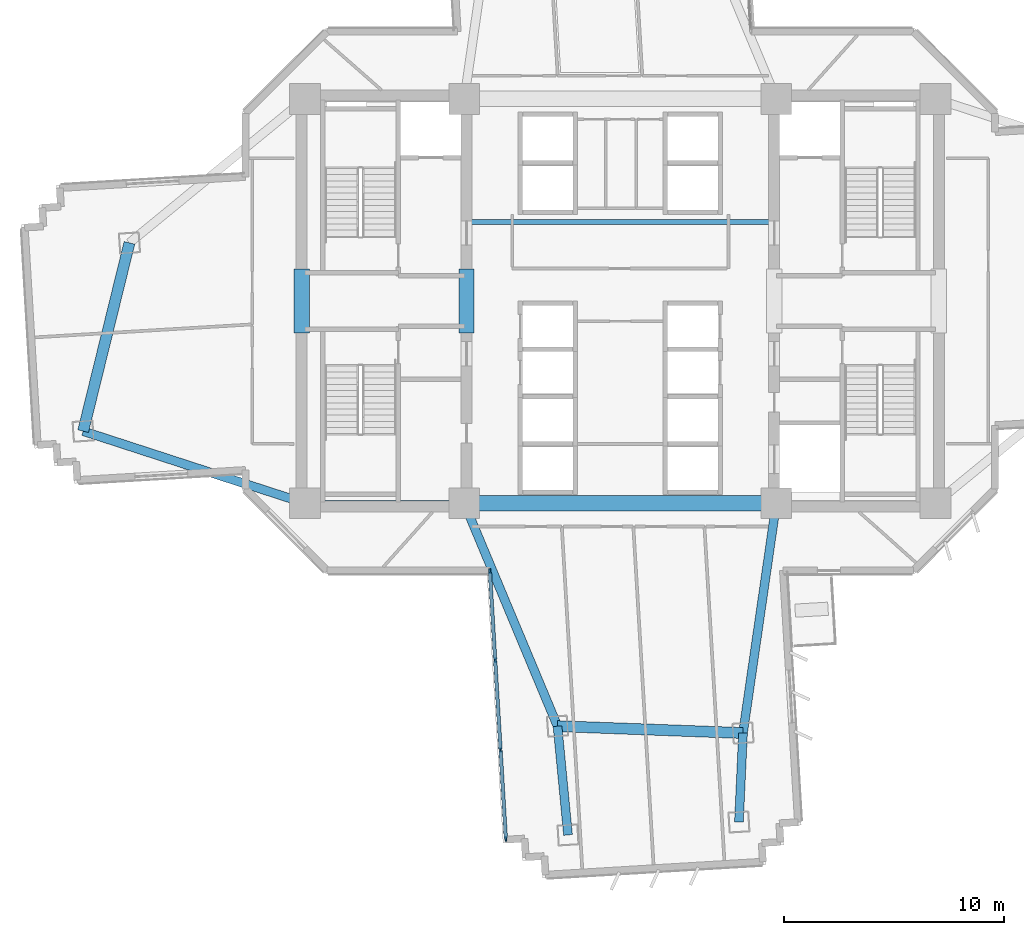
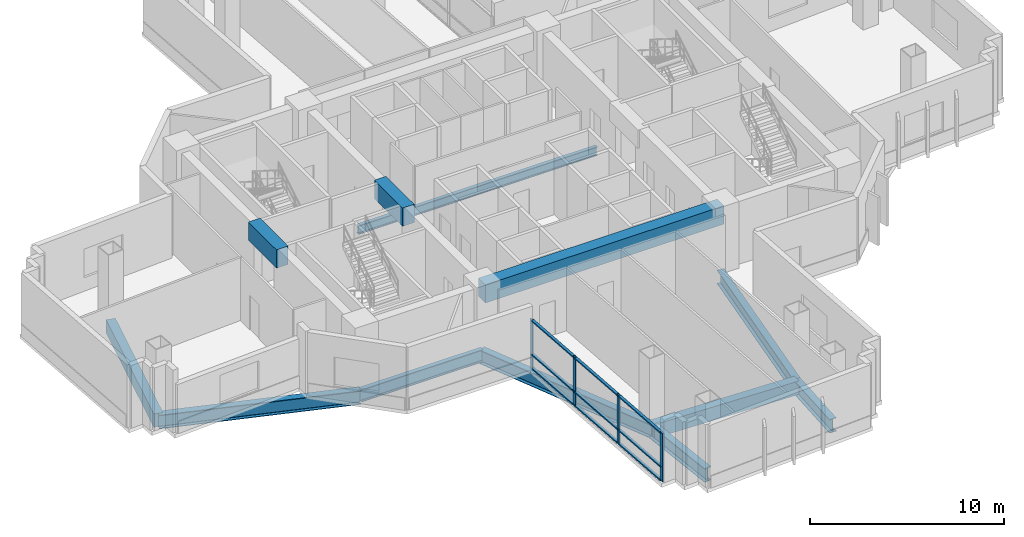
# One storey, part 2 of 15: 13 members, 12 beams, 1 element without a shape of its own.
"""IFC4 building model written with IfcOpenShell, lengths in metres."""

from ifc_helpers import new_model, si_unit, direction, frame, origin, origin_2d, place, context, subcontext, project, spatial, rectangle, i_section, extrude, source, transform, mapped, material, layer, layer_set, material_profile, profile_set, type_object, element, aggregate, save


model = new_model("IFC4")

# Units and contexts
model_context = context("Model", 3, precision=1e-05, world=origin(), true_north=direction((0.0, 1.0)))
body_context = subcontext(model_context, "Body", "Model", "MODEL_VIEW")
ifc_project = project(units=[si_unit("LENGTHUNIT", "METRE"), si_unit("AREAUNIT", "SQUARE_METRE"), si_unit("VOLUMEUNIT", "CUBIC_METRE"), si_unit("PLANEANGLEUNIT", "RADIAN"), si_unit("MASSUNIT", "GRAM", prefix="KILO")], contexts=[model_context])

# Site, building, storey
site_placement = place(None, origin())
site = spatial("IfcSite", under=ifc_project, at=site_placement, CompositionType="ELEMENT")
building_placement = place(site_placement, origin())
building = spatial("IfcBuilding", under=site, at=building_placement, Name="Zahravan Cultural Tower", CompositionType="ELEMENT")
storey_placement = place(building_placement, frame((0.0, 0.0, 71.10009765625)))
storey = spatial("IfcBuildingStorey", under=building, at=storey_placement, Name="L15", CompositionType="ELEMENT", Elevation=71.10009765625)

# Beams
ifc_material_1 = material(Name="Concrete C50/60", Category="concrete")
ifc_material_profile_1 = material_profile(ifc_material_1, rectangle(XDim=0.699951171875, YDim=1.14990234375, at=origin_2d()), Name="RC700X1150")
ifc_profile_set_1 = profile_set([ifc_material_profile_1], Name="Concrete C50/60")
beam_type_1 = type_object("IfcBeamType", Name="BM-LN-RC700X1150", PredefinedType="LINTEL", material=ifc_profile_set_1)
shared_shape_1 = source(origin(), body_context, "Body", "SweptSolid", [
    extrude(rectangle(XDim=0.699951171875, YDim=1.14990234375, at=origin_2d()), origin(), (0.0, 0.0, 1.0), 14.2001953125),
])
beam_1_placement = place(storey_placement, frame((28.89990234375, 17.800048828125, 3.375), z_axis=(1.0, 0.0, 0.0), x_axis=(0.0, 1.0, 0.0)))
element("IfcBeam", 1, at=beam_1_placement, inside=storey, type_object=beam_type_1, Name="L15 Beam LN-L15-S", PredefinedType="LINTEL", context=body_context, shape_type="MappedRepresentation", body=[
    mapped(shared_shape_1, transform((0.0, 0.0, 0.0), x_axis=(1.0, 0.0, 0.0), y_axis=(0.0, 1.0, 0.0), z_axis=(0.0, 0.0, 1.0), scale=1.0)),
])
shared_shape_2 = source(origin(), body_context, "Body", "SweptSolid", [
    extrude(rectangle(XDim=0.699951171875, YDim=1.14990234375, at=origin_2d()), origin(), (0.0, 0.0, 1.0), 2.89990234375),
])
for number, where, z_axis, x_axis, name in (
    (2, (21.5, 25.550048828125, 3.375), (0.0, 1.0, 0.0), (-1.0, 0.0, 0.0), "L15 Beam LN-L15-PWW"),
    (3, (29.0, 25.550048828125, 3.375), (0.0, 1.0, 0.0), (-1.0, 0.0, 0.0), "L15 Beam LN-L15-PWE"),
):
    element("IfcBeam", number, at=place(storey_placement, frame(where, z_axis=z_axis, x_axis=x_axis)), inside=storey, type_object=beam_type_1, Name=name, PredefinedType="LINTEL", context=body_context, shape_type="MappedRepresentation", body=[
        mapped(shared_shape_2, transform((0.0, 0.0, 0.0), x_axis=(1.0, 0.0, 0.0), y_axis=(0.0, 1.0, 0.0), z_axis=(0.0, 0.0, 1.0), scale=1.0)),
    ])
ifc_material_2 = material(Name="Steel ASTM A992 Grade 50", Category="steel")
ifc_material_profile_2 = material_profile(ifc_material_2, i_section(OverallWidth=0.26611328125, OverallDepth=0.780029296875, WebThickness=0.0166015625, FlangeThickness=0.030029296875, FilletRadius=0.01904296875, at=origin_2d()), Name="W30X148")
ifc_profile_set_2 = profile_set([ifc_material_profile_2], Name="Steel ASTM A992 Grade 50")
beam_type_2 = type_object("IfcBeamType", Name="BM-G-W30X148", PredefinedType="BEAM", material=ifc_profile_set_2)
shared_shape_3 = source(origin(), body_context, "Body", "SweptSolid", [
    extrude(i_section(OverallWidth=0.26611328125, OverallDepth=0.780029296875, WebThickness=0.0166015625, FlangeThickness=0.030029296875, FilletRadius=0.01904296875, at=origin_2d()), origin(), (0.0, 0.0, 1.0), 7.25),
])
beam_2_placement = place(storey_placement, frame((21.64990234375, 17.800048828125, -0.64013671875), z_axis=(1.0, 0.0, 0.0), x_axis=(0.0, 1.0, 0.0)))
element("IfcBeam", 4, at=beam_2_placement, inside=storey, type_object=beam_type_2, Name="L15 Beam BG-L15-01", PredefinedType="BEAM", context=body_context, shape_type="MappedRepresentation", body=[
    mapped(shared_shape_3, transform((0.0, 0.0, 0.0), x_axis=(1.0, 0.0, 0.0), y_axis=(0.0, 1.0, 0.0), z_axis=(0.0, 0.0, 1.0), scale=1.0)),
])
ifc_material_profile_3 = material_profile(ifc_material_1, rectangle(XDim=0.5, YDim=0.85009765625, at=origin_2d()), Name="RC500X850")
ifc_profile_set_3 = profile_set([ifc_material_profile_3], Name="Concrete C50/60")
beam_type_3 = type_object("IfcBeamType", Name="BM-SP-RC500X850", PredefinedType="SPANDREL", material=ifc_profile_set_3)
shared_shape_4 = source(origin(), body_context, "Body", "SweptSolid", [
    extrude(rectangle(XDim=0.5, YDim=0.85009765625, at=origin_2d()), origin(), (0.0, 0.0, 1.0), 8.4482421875),
])
beam_3_placement = place(storey_placement, frame((33.142578125, 7.653564453125, -0.675048828125), z_axis=(0.999318826256, -0.036903705643, 0.0), x_axis=(0.036903705643, 0.999318826256, 0.0)))
element("IfcBeam", 5, at=beam_3_placement, inside=storey, type_object=beam_type_3, Name="L15 Beam SP-L15-19", PredefinedType="SPANDREL", context=body_context, shape_type="MappedRepresentation", body=[
    mapped(shared_shape_4, transform((0.0, 0.0, 0.0), x_axis=(1.0, 0.0, 0.0), y_axis=(0.0, 1.0, 0.0), z_axis=(0.0, 0.0, 1.0), scale=1.0)),
])
shared_shape_5 = source(origin(), body_context, "Body", "SweptSolid", [
    extrude(rectangle(XDim=0.5, YDim=0.85009765625, at=origin_2d()), origin(), (0.0, 0.0, 1.0), 8.8232421875),
])
beam_4_placement = place(storey_placement, frame((13.660888671875, 29.648193359375, -0.675048828125), z_axis=(-0.238848860516, -0.971056755206, 0.0), x_axis=(0.971056755206, -0.238848860516, 0.0)))
element("IfcBeam", 6, at=beam_4_placement, inside=storey, type_object=beam_type_3, Name="L15 Beam SP-L15-22", PredefinedType="SPANDREL", context=body_context, shape_type="MappedRepresentation", body=[
    mapped(shared_shape_5, transform((0.0, 0.0, 0.0), x_axis=(1.0, 0.0, 0.0), y_axis=(0.0, 1.0, 0.0), z_axis=(0.0, 0.0, 1.0), scale=1.0)),
])
ifc_material_profile_4 = material_profile(ifc_material_2, i_section(OverallWidth=0.39990234375, OverallDepth=0.862060546875, WebThickness=0.019775390625, FlangeThickness=0.032470703125, FilletRadius=0.02001953125, at=origin_2d()), Name="W33X221")
ifc_profile_set_4 = profile_set([ifc_material_profile_4], Name="Steel ASTM A992 Grade 50")
beam_type_4 = type_object("IfcBeamType", Name="BM-G-W33X221", PredefinedType="BEAM", material=ifc_profile_set_4)
shared_shape_6 = source(origin(), body_context, "Body", "SweptSolid", [
    extrude(i_section(OverallWidth=0.39990234375, OverallDepth=0.862060546875, WebThickness=0.019775390625, FlangeThickness=0.032470703125, FilletRadius=0.02001953125, at=origin_2d()), origin(), (0.0, 0.0, 1.0), 10.615966796875),
])
beam_5_placement = place(storey_placement, frame((21.64990234375, 17.800048828125, -0.68115234375), z_axis=(-0.951063640083, 0.30899506875, 0.0), x_axis=(-0.30899506875, -0.951063640083, 0.0)))
element("IfcBeam", 7, at=beam_5_placement, inside=storey, type_object=beam_type_4, Name="L15 Beam BG-L15-07", PredefinedType="BEAM", context=body_context, shape_type="MappedRepresentation", body=[
    mapped(shared_shape_6, transform((0.0, 0.0, 0.0), x_axis=(1.0, 0.0, 0.0), y_axis=(0.0, 1.0, 0.0), z_axis=(0.0, 0.0, 1.0), scale=1.0)),
])
shared_shape_7 = source(origin(), body_context, "Body", "SweptSolid", [
    extrude(i_section(OverallWidth=0.39990234375, OverallDepth=0.862060546875, WebThickness=0.019775390625, FlangeThickness=0.032470703125, FilletRadius=0.02001953125, at=origin_2d()), origin(), (0.0, 0.0, 1.0), 10.997802734375),
])
beam_6_placement = place(storey_placement, frame((28.89990234375, 17.800048828125, -0.68115234375), z_axis=(0.385775211449, -0.922592806297, 0.0), x_axis=(0.922592806297, 0.385775211449, 0.0)))
element("IfcBeam", 8, at=beam_6_placement, inside=storey, type_object=beam_type_4, Name="L15 Beam BG-L15-08", PredefinedType="BEAM", context=body_context, shape_type="MappedRepresentation", body=[
    mapped(shared_shape_7, transform((0.0, 0.0, 0.0), x_axis=(1.0, 0.0, 0.0), y_axis=(0.0, 1.0, 0.0), z_axis=(0.0, 0.0, 1.0), scale=1.0)),
])
shared_shape_8 = source(origin(), body_context, "Body", "SweptSolid", [
    extrude(i_section(OverallWidth=0.39990234375, OverallDepth=0.862060546875, WebThickness=0.019775390625, FlangeThickness=0.032470703125, FilletRadius=0.02001953125, at=origin_2d()), origin(), (0.0, 0.0, 1.0), 10.5673828125),
])
beam_7_placement = place(storey_placement, frame((43.10009765625, 17.800048828125, -0.68115234375), z_axis=(-0.143377913539, -0.989668011966, 0.0), x_axis=(0.989668011966, -0.143377913539, 0.0)))
element("IfcBeam", 9, at=beam_7_placement, inside=storey, type_object=beam_type_4, Name="L15 Beam BG-L15-09", PredefinedType="BEAM", context=body_context, shape_type="MappedRepresentation", body=[
    mapped(shared_shape_8, transform((0.0, 0.0, 0.0), x_axis=(1.0, 0.0, 0.0), y_axis=(0.0, 1.0, 0.0), z_axis=(0.0, 0.0, 1.0), scale=1.0)),
])
shared_shape_9 = source(origin(), body_context, "Body", "SweptSolid", [
    extrude(i_section(OverallWidth=0.39990234375, OverallDepth=0.862060546875, WebThickness=0.019775390625, FlangeThickness=0.032470703125, FilletRadius=0.02001953125, at=origin_2d()), origin(), (0.0, 0.0, 1.0), 4.973876953125),
])
beam_8_placement = place(storey_placement, frame((33.142578125, 7.653564453125, -0.68115234375), z_axis=(0.096154779131, -0.995366394073, 0.0), x_axis=(0.995366394073, 0.096154779131, 0.0)))
element("IfcBeam", 10, at=beam_8_placement, inside=storey, type_object=beam_type_4, Name="L15 Beam BG-L15-17", PredefinedType="BEAM", context=body_context, shape_type="MappedRepresentation", body=[
    mapped(shared_shape_9, transform((0.0, 0.0, 0.0), x_axis=(1.0, 0.0, 0.0), y_axis=(0.0, 1.0, 0.0), z_axis=(0.0, 0.0, 1.0), scale=1.0)),
])
shared_shape_10 = source(origin(), body_context, "Body", "SweptSolid", [
    extrude(i_section(OverallWidth=0.39990234375, OverallDepth=0.862060546875, WebThickness=0.019775390625, FlangeThickness=0.032470703125, FilletRadius=0.02001953125, at=origin_2d()), origin(), (0.0, 0.0, 1.0), 4.0537109375),
])
beam_9_placement = place(storey_placement, frame((41.5849609375, 7.341796875, -0.68115234375), z_axis=(-0.045770994677, -0.998951958828, 0.0), x_axis=(0.998951958828, -0.045770994677, 0.0)))
element("IfcBeam", 11, at=beam_9_placement, inside=storey, type_object=beam_type_4, Name="L15 Beam BG-L15-18", PredefinedType="BEAM", context=body_context, shape_type="MappedRepresentation", body=[
    mapped(shared_shape_10, transform((0.0, 0.0, 0.0), x_axis=(1.0, 0.0, 0.0), y_axis=(0.0, 1.0, 0.0), z_axis=(0.0, 0.0, 1.0), scale=1.0)),
])
ifc_material_profile_5 = material_profile(ifc_material_2, i_section(OverallWidth=0.214111328125, OverallDepth=0.549072265625, WebThickness=0.0146484375, FlangeThickness=0.023681640625, FilletRadius=0.013916015625, at=origin_2d()), Name="W21X93")
ifc_profile_set_5 = profile_set([ifc_material_profile_5], Name="Steel ASTM A992 Grade 50")
beam_type_5 = type_object("IfcBeamType", Name="BM-J-W21X93", PredefinedType="JOIST", material=ifc_profile_set_5)
shared_shape_11 = source(origin(), body_context, "Body", "SweptSolid", [
    extrude(i_section(OverallWidth=0.214111328125, OverallDepth=0.549072265625, WebThickness=0.0146484375, FlangeThickness=0.023681640625, FilletRadius=0.013916015625, at=origin_2d()), origin(), (0.0, 0.0, 1.0), 14.2001953125),
])
beam_10_placement = place(storey_placement, frame((28.89990234375, 30.60009765625, -0.524658203125), z_axis=(1.0, 0.0, 0.0), x_axis=(0.0, 1.0, 0.0)))
element("IfcBeam", 12, at=beam_10_placement, inside=storey, type_object=beam_type_5, Name="L15 Beam BJ-L15-23", PredefinedType="JOIST", context=body_context, shape_type="MappedRepresentation", body=[
    mapped(shared_shape_11, transform((0.0, 0.0, 0.0), x_axis=(1.0, 0.0, 0.0), y_axis=(0.0, 1.0, 0.0), z_axis=(0.0, 0.0, 1.0), scale=1.0)),
])

# Curtain wall, members
ifc_material_3 = material(Name="Anodised bronze-aluminium mullion", Category="aluminium")
ifc_layer = layer(ifc_material_3, 0.219970703125)
ifc_layer_set = layer_set([ifc_layer], Name="Anodised bronze-aluminium mullion")
curtain_wall_type = type_object("IfcCurtainWallType", Name="CW-SYS-1", PredefinedType="USERDEFINED", material=ifc_layer_set)
curtain_wall_placement = place(storey_placement, origin())
curtain_wall = element("IfcCurtainWall", 13, at=curtain_wall_placement, inside=storey, type_object=curtain_wall_type, Name="L15 Recessed Curtain Wall CW-1.1", ObjectType="RECESSED GLAZING", PredefinedType="USERDEFINED")
ifc_material_profile_6 = material_profile(ifc_material_3, rectangle(XDim=0.159912109375, YDim=0.080078125, at=origin_2d()), Name="AL-T80X160")
ifc_profile_set_6 = profile_set([ifc_material_profile_6], Name="Anodised bronze-aluminium mullion")
member_type_1 = type_object("IfcMemberType", Name="CWT-CW-1", PredefinedType="USERDEFINED", material=ifc_profile_set_6)
shared_shape_12 = source(origin(), body_context, "Body", "SweptSolid", [
    extrude(rectangle(XDim=0.159912109375, YDim=0.080078125, at=origin_2d()), origin(), (0.0, 0.0, 1.0), 3.971923828125),
])
member_1_placement = place(storey_placement, frame((30.788330078125, 2.565673828125, 0.039794921875), z_axis=(-0.059684052693, 0.998217317949, 0.0), x_axis=(-0.998217317949, -0.059684052693, 0.0)))
member_1 = element("IfcMember", 14, at=member_1_placement, type_object=member_type_1, Name="CW-1 transom 1.1", ObjectType="TRANSOM", PredefinedType="USERDEFINED", context=body_context, shape_type="MappedRepresentation", body=[
    mapped(shared_shape_12, transform((0.0, 0.0, 0.0), x_axis=(1.0, 0.0, 0.0), y_axis=(0.0, 1.0, 0.0), z_axis=(0.0, 0.0, 1.0), scale=1.0)),
])
member_2_placement = place(storey_placement, frame((30.788330078125, 2.565673828125, 0.89990234375), z_axis=(-0.059684052693, 0.998217317949, 0.0), x_axis=(-0.998217317949, -0.059684052693, 0.0)))
member_2 = element("IfcMember", 15, at=member_2_placement, type_object=member_type_1, Name="CW-1 transom 1.2", ObjectType="TRANSOM", PredefinedType="USERDEFINED", context=body_context, shape_type="MappedRepresentation", body=[
    mapped(shared_shape_12, transform((0.0, 0.0, 0.0), x_axis=(1.0, 0.0, 0.0), y_axis=(0.0, 1.0, 0.0), z_axis=(0.0, 0.0, 1.0), scale=1.0)),
])
member_3_placement = place(storey_placement, frame((30.788330078125, 2.565673828125, 3.02978515625), z_axis=(-0.059684052693, 0.998217317949, 0.0), x_axis=(-0.998217317949, -0.059684052693, 0.0)))
member_3 = element("IfcMember", 16, at=member_3_placement, type_object=member_type_1, Name="CW-1 transom 1.3", ObjectType="TRANSOM", PredefinedType="USERDEFINED", context=body_context, shape_type="MappedRepresentation", body=[
    mapped(shared_shape_12, transform((0.0, 0.0, 0.0), x_axis=(1.0, 0.0, 0.0), y_axis=(0.0, 1.0, 0.0), z_axis=(0.0, 0.0, 1.0), scale=1.0)),
])
shared_shape_13 = source(origin(), body_context, "Body", "SweptSolid", [
    extrude(rectangle(XDim=0.159912109375, YDim=0.080078125, at=origin_2d()), origin(), (0.0, 0.0, 1.0), 4.011962890625),
])
member_4_placement = place(storey_placement, frame((30.546630859375, 6.6103515625, 0.039794921875), z_axis=(-0.059635200737, 0.99822023764, 0.0), x_axis=(-0.99822023764, -0.059635200737, 0.0)))
member_4 = element("IfcMember", 17, at=member_4_placement, type_object=member_type_1, Name="CW-1 transom 2.1", ObjectType="TRANSOM", PredefinedType="USERDEFINED", context=body_context, shape_type="MappedRepresentation", body=[
    mapped(shared_shape_13, transform((0.0, 0.0, 0.0), x_axis=(1.0, 0.0, 0.0), y_axis=(0.0, 1.0, 0.0), z_axis=(0.0, 0.0, 1.0), scale=1.0)),
])
member_5_placement = place(storey_placement, frame((30.546630859375, 6.6103515625, 0.89990234375), z_axis=(-0.059635200737, 0.99822023764, 0.0), x_axis=(-0.99822023764, -0.059635200737, 0.0)))
member_5 = element("IfcMember", 18, at=member_5_placement, type_object=member_type_1, Name="CW-1 transom 2.2", ObjectType="TRANSOM", PredefinedType="USERDEFINED", context=body_context, shape_type="MappedRepresentation", body=[
    mapped(shared_shape_13, transform((0.0, 0.0, 0.0), x_axis=(1.0, 0.0, 0.0), y_axis=(0.0, 1.0, 0.0), z_axis=(0.0, 0.0, 1.0), scale=1.0)),
])
member_6_placement = place(storey_placement, frame((30.546630859375, 6.6103515625, 3.02978515625), z_axis=(-0.059635200737, 0.99822023764, 0.0), x_axis=(-0.99822023764, -0.059635200737, 0.0)))
member_6 = element("IfcMember", 19, at=member_6_placement, type_object=member_type_1, Name="CW-1 transom 2.3", ObjectType="TRANSOM", PredefinedType="USERDEFINED", context=body_context, shape_type="MappedRepresentation", body=[
    mapped(shared_shape_13, transform((0.0, 0.0, 0.0), x_axis=(1.0, 0.0, 0.0), y_axis=(0.0, 1.0, 0.0), z_axis=(0.0, 0.0, 1.0), scale=1.0)),
])
shared_shape_14 = source(origin(), body_context, "Body", "SweptSolid", [
    extrude(rectangle(XDim=0.159912109375, YDim=0.080078125, at=origin_2d()), origin(), (0.0, 0.0, 1.0), 3.97216796875),
])
member_7_placement = place(storey_placement, frame((30.302490234375, 10.695068359375, 0.039794921875), z_axis=(-0.059619146648, 0.998221196606, 0.0), x_axis=(-0.998221196606, -0.059619146648, 0.0)))
member_7 = element("IfcMember", 20, at=member_7_placement, type_object=member_type_1, Name="CW-1 transom 3.1", ObjectType="TRANSOM", PredefinedType="USERDEFINED", context=body_context, shape_type="MappedRepresentation", body=[
    mapped(shared_shape_14, transform((0.0, 0.0, 0.0), x_axis=(1.0, 0.0, 0.0), y_axis=(0.0, 1.0, 0.0), z_axis=(0.0, 0.0, 1.0), scale=1.0)),
])
member_8_placement = place(storey_placement, frame((30.302490234375, 10.695068359375, 0.89990234375), z_axis=(-0.059619146648, 0.998221196606, 0.0), x_axis=(-0.998221196606, -0.059619146648, 0.0)))
member_8 = element("IfcMember", 21, at=member_8_placement, type_object=member_type_1, Name="CW-1 transom 3.2", ObjectType="TRANSOM", PredefinedType="USERDEFINED", context=body_context, shape_type="MappedRepresentation", body=[
    mapped(shared_shape_14, transform((0.0, 0.0, 0.0), x_axis=(1.0, 0.0, 0.0), y_axis=(0.0, 1.0, 0.0), z_axis=(0.0, 0.0, 1.0), scale=1.0)),
])
member_9_placement = place(storey_placement, frame((30.302490234375, 10.695068359375, 3.02978515625), z_axis=(-0.059619146648, 0.998221196606, 0.0), x_axis=(-0.998221196606, -0.059619146648, 0.0)))
member_9 = element("IfcMember", 22, at=member_9_placement, type_object=member_type_1, Name="CW-1 transom 3.3", ObjectType="TRANSOM", PredefinedType="USERDEFINED", context=body_context, shape_type="MappedRepresentation", body=[
    mapped(shared_shape_14, transform((0.0, 0.0, 0.0), x_axis=(1.0, 0.0, 0.0), y_axis=(0.0, 1.0, 0.0), z_axis=(0.0, 0.0, 1.0), scale=1.0)),
])
ifc_material_profile_7 = material_profile(ifc_material_3, rectangle(XDim=0.080078125, YDim=0.219970703125, at=origin_2d()), Name="AL-M80X220")
ifc_profile_set_7 = profile_set([ifc_material_profile_7], Name="Anodised bronze-aluminium mullion")
member_type_2 = type_object("IfcMemberType", Name="CWM-CW-1", PredefinedType="MULLION", material=ifc_profile_set_7)
shared_shape_15 = source(origin(), body_context, "Body", "SweptSolid", [
    extrude(rectangle(XDim=0.080078125, YDim=0.219970703125, at=origin_2d()), origin(), (0.0, 0.0, 1.0), 3.06982421875),
])
member_10_placement = place(storey_placement, frame((30.790771484375, 2.525634765625, 0.0), z_axis=(0.0, 0.0, 1.0), x_axis=(-0.998219222021, -0.059652198511, 0.0)))
member_10 = element("IfcMember", 23, at=member_10_placement, type_object=member_type_2, Name="CW-1 mullion 1", PredefinedType="MULLION", context=body_context, shape_type="MappedRepresentation", body=[
    mapped(shared_shape_15, transform((0.0, 0.0, 0.0), x_axis=(1.0, 0.0, 0.0), y_axis=(0.0, 1.0, 0.0), z_axis=(0.0, 0.0, 1.0), scale=1.0)),
])
member_11_placement = place(storey_placement, frame((30.549072265625, 6.570556640625, 0.0), z_axis=(0.0, 0.0, 1.0), x_axis=(-0.998219222021, -0.059652198511, 0.0)))
member_11 = element("IfcMember", 24, at=member_11_placement, type_object=member_type_2, Name="CW-1 mullion 2", PredefinedType="MULLION", context=body_context, shape_type="MappedRepresentation", body=[
    mapped(shared_shape_15, transform((0.0, 0.0, 0.0), x_axis=(1.0, 0.0, 0.0), y_axis=(0.0, 1.0, 0.0), z_axis=(0.0, 0.0, 1.0), scale=1.0)),
])
member_12_placement = place(storey_placement, frame((30.304931640625, 10.6552734375, 0.0), z_axis=(0.0, 0.0, 1.0), x_axis=(-0.998219222021, -0.059652198511, 0.0)))
member_12 = element("IfcMember", 25, at=member_12_placement, type_object=member_type_2, Name="CW-1 mullion 3", PredefinedType="MULLION", context=body_context, shape_type="MappedRepresentation", body=[
    mapped(shared_shape_15, transform((0.0, 0.0, 0.0), x_axis=(1.0, 0.0, 0.0), y_axis=(0.0, 1.0, 0.0), z_axis=(0.0, 0.0, 1.0), scale=1.0)),
])
member_13_placement = place(storey_placement, frame((30.063232421875, 14.699951171875, 0.0), z_axis=(0.0, 0.0, 1.0), x_axis=(-0.998219222021, -0.059652198511, 0.0)))
member_13 = element("IfcMember", 26, at=member_13_placement, type_object=member_type_2, Name="CW-1 mullion 4", PredefinedType="MULLION", context=body_context, shape_type="MappedRepresentation", body=[
    mapped(shared_shape_15, transform((0.0, 0.0, 0.0), x_axis=(1.0, 0.0, 0.0), y_axis=(0.0, 1.0, 0.0), z_axis=(0.0, 0.0, 1.0), scale=1.0)),
])
aggregate(curtain_wall, [member_10, member_11, member_12, member_13, member_1, member_2, member_3, member_4, member_5, member_6, member_7, member_8, member_9])

save(model, "model.ifc")
